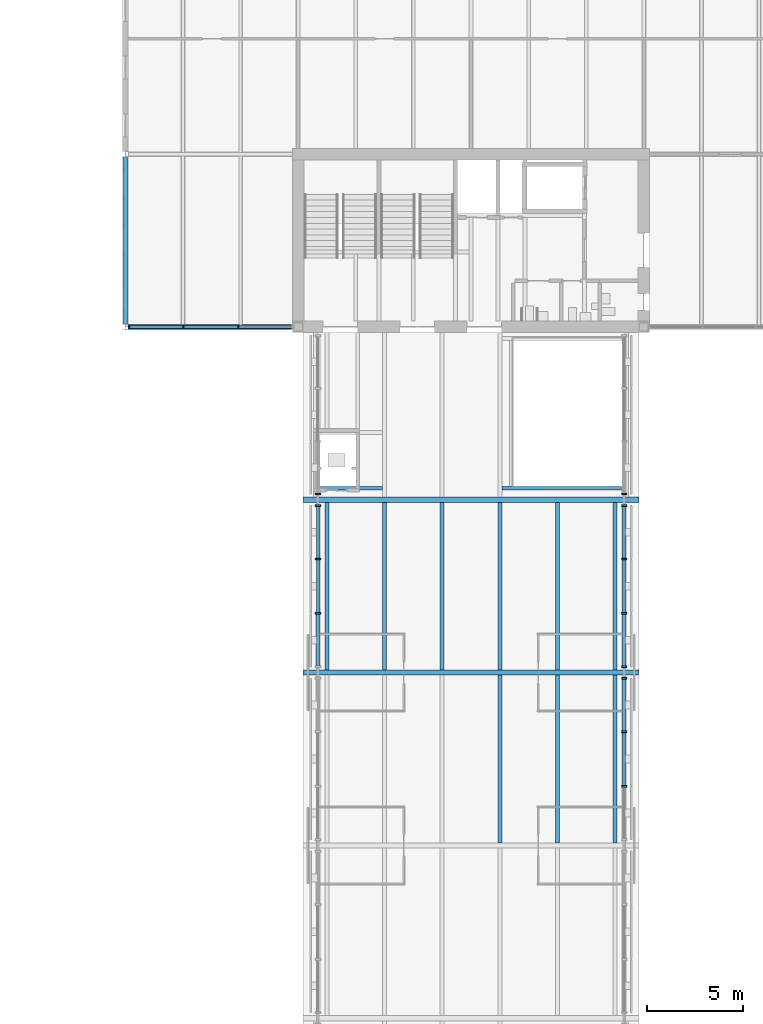
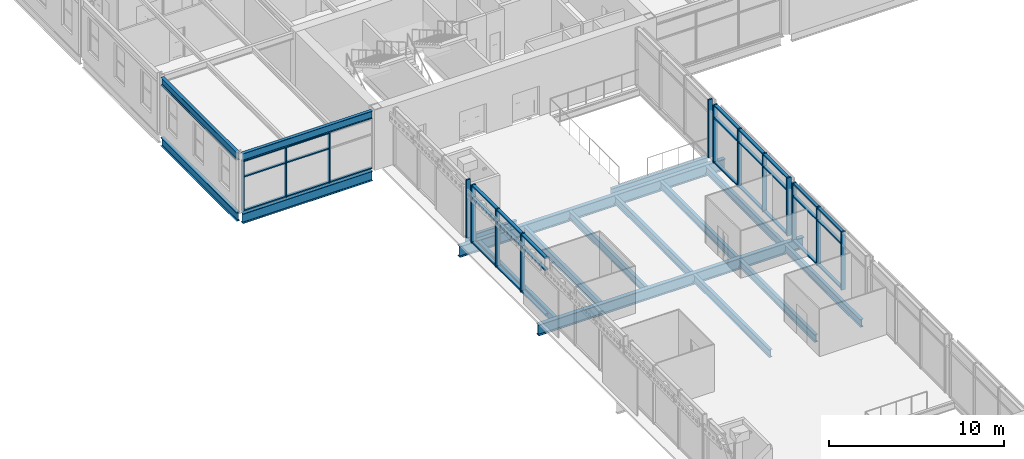
# One storey, part 28 of 123: 46 members, 17 beams, 6 elements without a shape of their own.
"""IFC4 building model written with IfcOpenShell, lengths in metres."""

from ifc_helpers import new_model, si_unit, direction, frame, origin, origin_2d, place, context, subcontext, project, spatial, rectangle, i_section, extrude, material, material_profile, profile_set, type_object, element, aggregate, save


model = new_model("IFC4")

# Units and contexts
model_context = context("Model", 3, precision=1e-05, world=origin(), true_north=direction((0.0, 1.0)))
body_context = subcontext(model_context, "Body", "Model", "MODEL_VIEW")
ifc_project = project(units=[si_unit("LENGTHUNIT", "METRE"), si_unit("AREAUNIT", "SQUARE_METRE"), si_unit("VOLUMEUNIT", "CUBIC_METRE"), si_unit("PLANEANGLEUNIT", "RADIAN"), si_unit("MASSUNIT", "GRAM", prefix="KILO")], contexts=[model_context])

# Site, building, storey
site_placement = place(None, origin())
site = spatial("IfcSite", under=ifc_project, at=site_placement, CompositionType="ELEMENT")
building_placement = place(site_placement, origin())
building = spatial("IfcBuilding", under=site, at=building_placement, Name="Baradari Gate Terminus", CompositionType="ELEMENT")
storey_placement = place(building_placement, frame((0.0, 0.0, 7.5)))
storey = spatial("IfcBuildingStorey", under=building, at=storey_placement, Name="L01", CompositionType="ELEMENT", Elevation=7.5)

# Beams
ifc_material_1 = material(Name="Steel S355", Category="steel")
ifc_material_profile_1 = material_profile(ifc_material_1, i_section(OverallWidth=0.19287109375, OverallDepth=0.46728515625, WebThickness=0.011474609375, FlangeThickness=0.01953125, FilletRadius=0.01025390625, at=origin_2d()), Name="UB 457x191x98")
ifc_profile_set_1 = profile_set([ifc_material_profile_1], Name="Steel S355")
beam_type_1 = type_object("IfcBeamType", Name="Concourse opening trimmer B19 UB 457x191x98", PredefinedType="BEAM", material=ifc_profile_set_1)
beam_1_placement = place(storey_placement, frame((73.00048828125, 72.60009765625, -0.363525390625), z_axis=(1.0, 0.0, 0.0), x_axis=(0.0, 1.0, 0.0)))
element("IfcBeam", 1, at=beam_1_placement, inside=storey, type_object=beam_type_1, Name="Concourse opening trimmer B19 72.6:73-76.395 L01", PredefinedType="BEAM", context=body_context, shape_type="SweptSolid", body=[
    extrude(i_section(OverallWidth=0.19287109375, OverallDepth=0.46728515625, WebThickness=0.011474609375, FlangeThickness=0.01953125, FilletRadius=0.01025390625, at=origin_2d()), origin(), (0.0, 0.0, 1.0), 3.39404296875),
])
beam_2_placement = place(storey_placement, frame((82.60546875, 72.60009765625, -0.363525390625), z_axis=(1.0, 0.0, 0.0), x_axis=(0.0, 1.0, 0.0)))
element("IfcBeam", 2, at=beam_2_placement, inside=storey, type_object=beam_type_1, Name="Concourse opening trimmer B19 72.6:82.605-89 L01", PredefinedType="BEAM", context=body_context, shape_type="SweptSolid", body=[
    extrude(i_section(OverallWidth=0.19287109375, OverallDepth=0.46728515625, WebThickness=0.011474609375, FlangeThickness=0.01953125, FilletRadius=0.01025390625, at=origin_2d()), origin(), (0.0, 0.0, 1.0), 6.39404296875),
])

# Curtain wall, members
ifc_material_2 = material(Name="Aluminium 6063-T6", Category="aluminium")
curtain_wall_type_1 = type_object("IfcCurtainWallType", Name="Curtain wall CW-13 concourse gallery glazing", PredefinedType="NOTDEFINED", material=ifc_material_2)
curtain_wall_1_placement = place(storey_placement, origin())
curtain_wall_1 = element("IfcCurtainWall", 3, at=curtain_wall_1_placement, inside=storey, type_object=curtain_wall_type_1, Name="Glazed curtain wall CW-13 HS bay 8 L01", PredefinedType="NOTDEFINED")
ifc_material_3 = material(Name="Aluminium 6063-T6", Category="aluminium")
ifc_material_profile_2 = material_profile(ifc_material_3, rectangle(XDim=0.22509765625, YDim=0.080078125, at=origin_2d()), Name="CM-13 80X225")
ifc_profile_set_2 = profile_set([ifc_material_profile_2], Name="Aluminium 6063-T6")
member_type_1 = type_object("IfcMemberType", Name="Curtain wall mullion CM-13 80x225", PredefinedType="MULLION", material=ifc_profile_set_2)
member_1_placement = place(storey_placement, frame((63.193603515625, 81.0, 0.0), z_axis=(0.0, 0.0, 1.0), x_axis=(0.0, 1.0, 0.0)))
member_1 = element("IfcMember", 4, at=member_1_placement, type_object=member_type_1, Name="CW-13 mullion 1", PredefinedType="MULLION", context=body_context, shape_type="SweptSolid", body=[
    extrude(rectangle(XDim=0.22509765625, YDim=0.080078125, at=origin_2d()), origin(), (0.0, 0.0, 1.0), 3.516845703125),
])
member_2_placement = place(storey_placement, frame((66.01904296875, 81.0, 0.0), z_axis=(0.0, 0.0, 1.0), x_axis=(0.0, 1.0, 0.0)))
member_2 = element("IfcMember", 5, at=member_2_placement, type_object=member_type_1, Name="CW-13 mullion 2", PredefinedType="MULLION", context=body_context, shape_type="SweptSolid", body=[
    extrude(rectangle(XDim=0.22509765625, YDim=0.080078125, at=origin_2d()), origin(), (0.0, 0.0, 1.0), 3.516845703125),
])
member_3_placement = place(storey_placement, frame((68.884521484375, 81.0, 0.0), z_axis=(0.0, 0.0, 1.0), x_axis=(0.0, 1.0, 0.0)))
member_3 = element("IfcMember", 6, at=member_3_placement, type_object=member_type_1, Name="CW-13 mullion 3", PredefinedType="MULLION", context=body_context, shape_type="SweptSolid", body=[
    extrude(rectangle(XDim=0.22509765625, YDim=0.080078125, at=origin_2d()), origin(), (0.0, 0.0, 1.0), 3.516845703125),
])

ifc_material_4 = material(Name="Aluminium 6063-T6", Category="aluminium")
curtain_wall_type_2 = type_object("IfcCurtainWallType", Name="Curtain wall CW-14 concourse bridge glazing", PredefinedType="NOTDEFINED", material=ifc_material_4)
curtain_wall_2_placement = place(storey_placement, origin())
curtain_wall_2 = element("IfcCurtainWall", 7, at=curtain_wall_2_placement, inside=storey, type_object=curtain_wall_type_2, Name="Curtain wall CW-3 gate west face L01 bay 4", PredefinedType="NOTDEFINED")
ifc_material_5 = material(Name="Aluminium 6063-T6", Category="aluminium")
ifc_material_profile_3 = material_profile(ifc_material_5, rectangle(XDim=0.27490234375, YDim=0.10009765625, at=origin_2d()), Name="CM-14 100X275")
ifc_profile_set_3 = profile_set([ifc_material_profile_3], Name="Aluminium 6063-T6")
member_type_2 = type_object("IfcMemberType", Name="Curtain wall mullion CM-14 100x275", PredefinedType="MULLION", material=ifc_profile_set_3)
member_4_placement = place(storey_placement, frame((73.02490234375, 66.083251953125, 0.0), z_axis=(0.0, 0.0, 1.0), x_axis=(-1.0, 0.0, 0.0)))
member_4 = element("IfcMember", 8, at=member_4_placement, type_object=member_type_2, Name="CW-14 mullion 2", PredefinedType="MULLION", context=body_context, shape_type="SweptSolid", body=[
    extrude(rectangle(XDim=0.27490234375, YDim=0.10009765625, at=origin_2d()), origin(), (0.0, 0.0, 1.0), 4.050048828125),
])
member_5_placement = place(storey_placement, frame((73.02490234375, 68.916748046875, 0.0), z_axis=(0.0, 0.0, 1.0), x_axis=(-1.0, 0.0, 0.0)))
member_5 = element("IfcMember", 9, at=member_5_placement, type_object=member_type_2, Name="CW-14 mullion 3", PredefinedType="MULLION", context=body_context, shape_type="SweptSolid", body=[
    extrude(rectangle(XDim=0.27490234375, YDim=0.10009765625, at=origin_2d()), origin(), (0.0, 0.0, 1.0), 4.050048828125),
])
member_6_placement = place(storey_placement, frame((73.02490234375, 71.699951171875, 0.0), z_axis=(0.0, 0.0, 1.0), x_axis=(-1.0, 0.0, 0.0)))
member_6 = element("IfcMember", 10, at=member_6_placement, type_object=member_type_2, Name="CW-14 mullion 4", PredefinedType="MULLION", context=body_context, shape_type="SweptSolid", body=[
    extrude(rectangle(XDim=0.27490234375, YDim=0.10009765625, at=origin_2d()), origin(), (0.0, 0.0, 1.0), 4.050048828125),
])

# Curtain wall, member
curtain_wall_3_placement = place(storey_placement, origin())
curtain_wall_3 = element("IfcCurtainWall", 11, at=curtain_wall_3_placement, inside=storey, type_object=curtain_wall_type_2, Name="Curtain wall CW-3 gate west face L01 bay 5", PredefinedType="NOTDEFINED")
member_7_placement = place(storey_placement, frame((73.02490234375, 72.300048828125, 0.0), z_axis=(0.0, 0.0, 1.0), x_axis=(-1.0, 0.0, 0.0)))
member_7 = element("IfcMember", 12, at=member_7_placement, type_object=member_type_2, Name="CW-14 mullion 1", PredefinedType="MULLION", context=body_context, shape_type="SweptSolid", body=[
    extrude(rectangle(XDim=0.27490234375, YDim=0.10009765625, at=origin_2d()), origin(), (0.0, 0.0, 1.0), 4.050048828125),
])
aggregate(curtain_wall_3, [member_7])

# Curtain wall, members
curtain_wall_4_placement = place(storey_placement, origin())
curtain_wall_4 = element("IfcCurtainWall", 13, at=curtain_wall_4_placement, inside=storey, type_object=curtain_wall_type_2, Name="Curtain wall CW-3 gate east face L01 bay 3", PredefinedType="NOTDEFINED")
member_8_placement = place(storey_placement, frame((88.97509765625, 57.083251953125, 0.0), z_axis=(0.0, 0.0, 1.0), x_axis=(-1.0, 0.0, 0.0)))
member_8 = element("IfcMember", 14, at=member_8_placement, type_object=member_type_2, Name="CW-14 mullion 2", PredefinedType="MULLION", context=body_context, shape_type="SweptSolid", body=[
    extrude(rectangle(XDim=0.27490234375, YDim=0.10009765625, at=origin_2d()), origin(), (0.0, 0.0, 1.0), 4.050048828125),
])
member_9_placement = place(storey_placement, frame((88.97509765625, 59.916748046875, 0.0), z_axis=(0.0, 0.0, 1.0), x_axis=(-1.0, 0.0, 0.0)))
member_9 = element("IfcMember", 15, at=member_9_placement, type_object=member_type_2, Name="CW-14 mullion 3", PredefinedType="MULLION", context=body_context, shape_type="SweptSolid", body=[
    extrude(rectangle(XDim=0.27490234375, YDim=0.10009765625, at=origin_2d()), origin(), (0.0, 0.0, 1.0), 4.050048828125),
])
member_10_placement = place(storey_placement, frame((88.97509765625, 62.699951171875, 0.0), z_axis=(0.0, 0.0, 1.0), x_axis=(-1.0, 0.0, 0.0)))
member_10 = element("IfcMember", 16, at=member_10_placement, type_object=member_type_2, Name="CW-14 mullion 4", PredefinedType="MULLION", context=body_context, shape_type="SweptSolid", body=[
    extrude(rectangle(XDim=0.27490234375, YDim=0.10009765625, at=origin_2d()), origin(), (0.0, 0.0, 1.0), 4.050048828125),
])

curtain_wall_5_placement = place(storey_placement, origin())
curtain_wall_5 = element("IfcCurtainWall", 17, at=curtain_wall_5_placement, inside=storey, type_object=curtain_wall_type_2, Name="Curtain wall CW-3 gate east face L01 bay 4", PredefinedType="NOTDEFINED")
member_11_placement = place(storey_placement, frame((88.97509765625, 63.300048828125, 0.0), z_axis=(0.0, 0.0, 1.0), x_axis=(-1.0, 0.0, 0.0)))
member_11 = element("IfcMember", 18, at=member_11_placement, type_object=member_type_2, Name="CW-14 mullion 1", PredefinedType="MULLION", context=body_context, shape_type="SweptSolid", body=[
    extrude(rectangle(XDim=0.27490234375, YDim=0.10009765625, at=origin_2d()), origin(), (0.0, 0.0, 1.0), 4.050048828125),
])
member_12_placement = place(storey_placement, frame((88.97509765625, 66.083251953125, 0.0), z_axis=(0.0, 0.0, 1.0), x_axis=(-1.0, 0.0, 0.0)))
member_12 = element("IfcMember", 19, at=member_12_placement, type_object=member_type_2, Name="CW-14 mullion 2", PredefinedType="MULLION", context=body_context, shape_type="SweptSolid", body=[
    extrude(rectangle(XDim=0.27490234375, YDim=0.10009765625, at=origin_2d()), origin(), (0.0, 0.0, 1.0), 4.050048828125),
])
member_13_placement = place(storey_placement, frame((88.97509765625, 68.916748046875, 0.0), z_axis=(0.0, 0.0, 1.0), x_axis=(-1.0, 0.0, 0.0)))
member_13 = element("IfcMember", 20, at=member_13_placement, type_object=member_type_2, Name="CW-14 mullion 3", PredefinedType="MULLION", context=body_context, shape_type="SweptSolid", body=[
    extrude(rectangle(XDim=0.27490234375, YDim=0.10009765625, at=origin_2d()), origin(), (0.0, 0.0, 1.0), 4.050048828125),
])
member_14_placement = place(storey_placement, frame((88.97509765625, 71.699951171875, 0.0), z_axis=(0.0, 0.0, 1.0), x_axis=(-1.0, 0.0, 0.0)))
member_14 = element("IfcMember", 21, at=member_14_placement, type_object=member_type_2, Name="CW-14 mullion 4", PredefinedType="MULLION", context=body_context, shape_type="SweptSolid", body=[
    extrude(rectangle(XDim=0.27490234375, YDim=0.10009765625, at=origin_2d()), origin(), (0.0, 0.0, 1.0), 4.050048828125),
])

# Curtain wall, member
curtain_wall_6_placement = place(storey_placement, origin())
curtain_wall_6 = element("IfcCurtainWall", 22, at=curtain_wall_6_placement, inside=storey, type_object=curtain_wall_type_2, Name="Curtain wall CW-3 gate east face L01 bay 5", PredefinedType="NOTDEFINED")
member_15_placement = place(storey_placement, frame((88.97509765625, 72.300048828125, 0.0), z_axis=(0.0, 0.0, 1.0), x_axis=(-1.0, 0.0, 0.0)))
member_15 = element("IfcMember", 23, at=member_15_placement, type_object=member_type_2, Name="CW-14 mullion 1", PredefinedType="MULLION", context=body_context, shape_type="SweptSolid", body=[
    extrude(rectangle(XDim=0.27490234375, YDim=0.10009765625, at=origin_2d()), origin(), (0.0, 0.0, 1.0), 4.050048828125),
])
aggregate(curtain_wall_6, [member_15])

# Member
ifc_material_6 = material(Name="Aluminium 6063-T6", Category="aluminium")
ifc_material_profile_4 = material_profile(ifc_material_6, rectangle(XDim=0.159912109375, YDim=0.080078125, at=origin_2d()), Name="CT-13 80X160")
ifc_profile_set_4 = profile_set([ifc_material_profile_4], Name="Aluminium 6063-T6")
member_type_3 = type_object("IfcMemberType", Name="Curtain wall transom CT-13 80x160", PredefinedType="USERDEFINED", material=ifc_profile_set_4)
member_16_placement = place(storey_placement, frame((63.233642578125, 81.0, 0.0400390625), z_axis=(1.0, 0.0, 0.0), x_axis=(0.0, 1.0, 0.0)))
member_16 = element("IfcMember", 24, at=member_16_placement, type_object=member_type_3, Name="CW-13 transom 1.1", ObjectType="TRANSOM", PredefinedType="USERDEFINED", context=body_context, shape_type="SweptSolid", body=[
    extrude(rectangle(XDim=0.159912109375, YDim=0.080078125, at=origin_2d()), origin(), (0.0, 0.0, 1.0), 2.74560546875),
])

member_17_placement = place(storey_placement, frame((63.233642578125, 81.0, 2.39990234375), z_axis=(1.0, 0.0, 0.0), x_axis=(0.0, 1.0, 0.0)))
member_17 = element("IfcMember", 25, at=member_17_placement, type_object=member_type_3, Name="CW-13 transom 1.2", ObjectType="TRANSOM", PredefinedType="USERDEFINED", context=body_context, shape_type="SweptSolid", body=[
    extrude(rectangle(XDim=0.159912109375, YDim=0.080078125, at=origin_2d()), origin(), (0.0, 0.0, 1.0), 2.74560546875),
])

member_18_placement = place(storey_placement, frame((63.233642578125, 81.0, 3.476806640625), z_axis=(1.0, 0.0, 0.0), x_axis=(0.0, 1.0, 0.0)))
member_18 = element("IfcMember", 26, at=member_18_placement, type_object=member_type_3, Name="CW-13 transom 1.3", ObjectType="TRANSOM", PredefinedType="USERDEFINED", context=body_context, shape_type="SweptSolid", body=[
    extrude(rectangle(XDim=0.159912109375, YDim=0.080078125, at=origin_2d()), origin(), (0.0, 0.0, 1.0), 2.74560546875),
])

member_19_placement = place(storey_placement, frame((66.05908203125, 81.0, 0.0400390625), z_axis=(1.0, 0.0, 0.0), x_axis=(0.0, 1.0, 0.0)))
member_19 = element("IfcMember", 27, at=member_19_placement, type_object=member_type_3, Name="CW-13 transom 2.1", ObjectType="TRANSOM", PredefinedType="USERDEFINED", context=body_context, shape_type="SweptSolid", body=[
    extrude(rectangle(XDim=0.159912109375, YDim=0.080078125, at=origin_2d()), origin(), (0.0, 0.0, 1.0), 2.785400390625),
])

member_20_placement = place(storey_placement, frame((66.05908203125, 81.0, 2.39990234375), z_axis=(1.0, 0.0, 0.0), x_axis=(0.0, 1.0, 0.0)))
member_20 = element("IfcMember", 28, at=member_20_placement, type_object=member_type_3, Name="CW-13 transom 2.2", ObjectType="TRANSOM", PredefinedType="USERDEFINED", context=body_context, shape_type="SweptSolid", body=[
    extrude(rectangle(XDim=0.159912109375, YDim=0.080078125, at=origin_2d()), origin(), (0.0, 0.0, 1.0), 2.785400390625),
])

member_21_placement = place(storey_placement, frame((66.05908203125, 81.0, 3.476806640625), z_axis=(1.0, 0.0, 0.0), x_axis=(0.0, 1.0, 0.0)))
member_21 = element("IfcMember", 29, at=member_21_placement, type_object=member_type_3, Name="CW-13 transom 2.3", ObjectType="TRANSOM", PredefinedType="USERDEFINED", context=body_context, shape_type="SweptSolid", body=[
    extrude(rectangle(XDim=0.159912109375, YDim=0.080078125, at=origin_2d()), origin(), (0.0, 0.0, 1.0), 2.785400390625),
])

member_22_placement = place(storey_placement, frame((68.924560546875, 81.0, 0.0400390625), z_axis=(1.0, 0.0, 0.0), x_axis=(0.0, 1.0, 0.0)))
member_22 = element("IfcMember", 30, at=member_22_placement, type_object=member_type_3, Name="CW-13 transom 3.1", ObjectType="TRANSOM", PredefinedType="USERDEFINED", context=body_context, shape_type="SweptSolid", body=[
    extrude(rectangle(XDim=0.159912109375, YDim=0.080078125, at=origin_2d()), origin(), (0.0, 0.0, 1.0), 2.745361328125),
])

aggregate(curtain_wall_1, [member_1, member_2, member_3, member_16, member_17, member_18, member_19, member_20, member_21, member_22])

ifc_material_7 = material(Name="Aluminium 6063-T6", Category="aluminium")
ifc_material_profile_5 = material_profile(ifc_material_7, rectangle(XDim=0.199951171875, YDim=0.10009765625, at=origin_2d()), Name="CT-14 100X200")
ifc_profile_set_5 = profile_set([ifc_material_profile_5], Name="Aluminium 6063-T6")
member_type_4 = type_object("IfcMemberType", Name="Curtain wall transom CT-14 100x200", PredefinedType="USERDEFINED", material=ifc_profile_set_5)
member_23_placement = place(storey_placement, frame((73.02490234375, 63.35009765625, 0.050048828125), z_axis=(0.0, 1.0, 0.0), x_axis=(-1.0, 0.0, 0.0)))
member_23 = element("IfcMember", 31, at=member_23_placement, type_object=member_type_4, Name="CW-14 transom 1.1", ObjectType="TRANSOM", PredefinedType="USERDEFINED", context=body_context, shape_type="SweptSolid", body=[
    extrude(rectangle(XDim=0.199951171875, YDim=0.10009765625, at=origin_2d()), origin(), (0.0, 0.0, 1.0), 2.683349609375),
])

member_24_placement = place(storey_placement, frame((73.02490234375, 63.35009765625, 3.14990234375), z_axis=(0.0, 1.0, 0.0), x_axis=(-1.0, 0.0, 0.0)))
member_24 = element("IfcMember", 32, at=member_24_placement, type_object=member_type_4, Name="CW-14 transom 1.2", ObjectType="TRANSOM", PredefinedType="USERDEFINED", context=body_context, shape_type="SweptSolid", body=[
    extrude(rectangle(XDim=0.199951171875, YDim=0.10009765625, at=origin_2d()), origin(), (0.0, 0.0, 1.0), 2.683349609375),
])

member_25_placement = place(storey_placement, frame((73.02490234375, 63.35009765625, 4.0), z_axis=(0.0, 1.0, 0.0), x_axis=(-1.0, 0.0, 0.0)))
member_25 = element("IfcMember", 33, at=member_25_placement, type_object=member_type_4, Name="CW-14 transom 1.3", ObjectType="TRANSOM", PredefinedType="USERDEFINED", context=body_context, shape_type="SweptSolid", body=[
    extrude(rectangle(XDim=0.199951171875, YDim=0.10009765625, at=origin_2d()), origin(), (0.0, 0.0, 1.0), 2.683349609375),
])

member_26_placement = place(storey_placement, frame((73.02490234375, 66.13330078125, 0.050048828125), z_axis=(0.0, 1.0, 0.0), x_axis=(-1.0, 0.0, 0.0)))
member_26 = element("IfcMember", 34, at=member_26_placement, type_object=member_type_4, Name="CW-14 transom 2.1", ObjectType="TRANSOM", PredefinedType="USERDEFINED", context=body_context, shape_type="SweptSolid", body=[
    extrude(rectangle(XDim=0.199951171875, YDim=0.10009765625, at=origin_2d()), origin(), (0.0, 0.0, 1.0), 2.7333984375),
])

member_27_placement = place(storey_placement, frame((73.02490234375, 66.13330078125, 3.14990234375), z_axis=(0.0, 1.0, 0.0), x_axis=(-1.0, 0.0, 0.0)))
member_27 = element("IfcMember", 35, at=member_27_placement, type_object=member_type_4, Name="CW-14 transom 2.2", ObjectType="TRANSOM", PredefinedType="USERDEFINED", context=body_context, shape_type="SweptSolid", body=[
    extrude(rectangle(XDim=0.199951171875, YDim=0.10009765625, at=origin_2d()), origin(), (0.0, 0.0, 1.0), 2.7333984375),
])

member_28_placement = place(storey_placement, frame((73.02490234375, 66.13330078125, 4.0), z_axis=(0.0, 1.0, 0.0), x_axis=(-1.0, 0.0, 0.0)))
member_28 = element("IfcMember", 36, at=member_28_placement, type_object=member_type_4, Name="CW-14 transom 2.3", ObjectType="TRANSOM", PredefinedType="USERDEFINED", context=body_context, shape_type="SweptSolid", body=[
    extrude(rectangle(XDim=0.199951171875, YDim=0.10009765625, at=origin_2d()), origin(), (0.0, 0.0, 1.0), 2.7333984375),
])

member_29_placement = place(storey_placement, frame((73.02490234375, 68.966552734375, 0.050048828125), z_axis=(0.0, 1.0, 0.0), x_axis=(-1.0, 0.0, 0.0)))
member_29 = element("IfcMember", 37, at=member_29_placement, type_object=member_type_4, Name="CW-14 transom 3.1", ObjectType="TRANSOM", PredefinedType="USERDEFINED", context=body_context, shape_type="SweptSolid", body=[
    extrude(rectangle(XDim=0.199951171875, YDim=0.10009765625, at=origin_2d()), origin(), (0.0, 0.0, 1.0), 2.683349609375),
])

member_30_placement = place(storey_placement, frame((73.02490234375, 68.966552734375, 3.14990234375), z_axis=(0.0, 1.0, 0.0), x_axis=(-1.0, 0.0, 0.0)))
member_30 = element("IfcMember", 38, at=member_30_placement, type_object=member_type_4, Name="CW-14 transom 3.2", ObjectType="TRANSOM", PredefinedType="USERDEFINED", context=body_context, shape_type="SweptSolid", body=[
    extrude(rectangle(XDim=0.199951171875, YDim=0.10009765625, at=origin_2d()), origin(), (0.0, 0.0, 1.0), 2.683349609375),
])

member_31_placement = place(storey_placement, frame((73.02490234375, 68.966552734375, 4.0), z_axis=(0.0, 1.0, 0.0), x_axis=(-1.0, 0.0, 0.0)))
member_31 = element("IfcMember", 39, at=member_31_placement, type_object=member_type_4, Name="CW-14 transom 3.3", ObjectType="TRANSOM", PredefinedType="USERDEFINED", context=body_context, shape_type="SweptSolid", body=[
    extrude(rectangle(XDim=0.199951171875, YDim=0.10009765625, at=origin_2d()), origin(), (0.0, 0.0, 1.0), 2.683349609375),
])

aggregate(curtain_wall_2, [member_4, member_5, member_6, member_23, member_24, member_25, member_26, member_27, member_28, member_29, member_30, member_31])

member_32_placement = place(storey_placement, frame((88.97509765625, 57.13330078125, 0.050048828125), z_axis=(0.0, 1.0, 0.0), x_axis=(-1.0, 0.0, 0.0)))
member_32 = element("IfcMember", 40, at=member_32_placement, type_object=member_type_4, Name="CW-14 transom 2.1", ObjectType="TRANSOM", PredefinedType="USERDEFINED", context=body_context, shape_type="SweptSolid", body=[
    extrude(rectangle(XDim=0.199951171875, YDim=0.10009765625, at=origin_2d()), origin(), (0.0, 0.0, 1.0), 2.7333984375),
])

member_33_placement = place(storey_placement, frame((88.97509765625, 57.13330078125, 3.14990234375), z_axis=(0.0, 1.0, 0.0), x_axis=(-1.0, 0.0, 0.0)))
member_33 = element("IfcMember", 41, at=member_33_placement, type_object=member_type_4, Name="CW-14 transom 2.2", ObjectType="TRANSOM", PredefinedType="USERDEFINED", context=body_context, shape_type="SweptSolid", body=[
    extrude(rectangle(XDim=0.199951171875, YDim=0.10009765625, at=origin_2d()), origin(), (0.0, 0.0, 1.0), 2.7333984375),
])

member_34_placement = place(storey_placement, frame((88.97509765625, 57.13330078125, 4.0), z_axis=(0.0, 1.0, 0.0), x_axis=(-1.0, 0.0, 0.0)))
member_34 = element("IfcMember", 42, at=member_34_placement, type_object=member_type_4, Name="CW-14 transom 2.3", ObjectType="TRANSOM", PredefinedType="USERDEFINED", context=body_context, shape_type="SweptSolid", body=[
    extrude(rectangle(XDim=0.199951171875, YDim=0.10009765625, at=origin_2d()), origin(), (0.0, 0.0, 1.0), 2.7333984375),
])

member_35_placement = place(storey_placement, frame((88.97509765625, 59.966552734375, 0.050048828125), z_axis=(0.0, 1.0, 0.0), x_axis=(-1.0, 0.0, 0.0)))
member_35 = element("IfcMember", 43, at=member_35_placement, type_object=member_type_4, Name="CW-14 transom 3.1", ObjectType="TRANSOM", PredefinedType="USERDEFINED", context=body_context, shape_type="SweptSolid", body=[
    extrude(rectangle(XDim=0.199951171875, YDim=0.10009765625, at=origin_2d()), origin(), (0.0, 0.0, 1.0), 2.683349609375),
])

member_36_placement = place(storey_placement, frame((88.97509765625, 59.966552734375, 3.14990234375), z_axis=(0.0, 1.0, 0.0), x_axis=(-1.0, 0.0, 0.0)))
member_36 = element("IfcMember", 44, at=member_36_placement, type_object=member_type_4, Name="CW-14 transom 3.2", ObjectType="TRANSOM", PredefinedType="USERDEFINED", context=body_context, shape_type="SweptSolid", body=[
    extrude(rectangle(XDim=0.199951171875, YDim=0.10009765625, at=origin_2d()), origin(), (0.0, 0.0, 1.0), 2.683349609375),
])

member_37_placement = place(storey_placement, frame((88.97509765625, 59.966552734375, 4.0), z_axis=(0.0, 1.0, 0.0), x_axis=(-1.0, 0.0, 0.0)))
member_37 = element("IfcMember", 45, at=member_37_placement, type_object=member_type_4, Name="CW-14 transom 3.3", ObjectType="TRANSOM", PredefinedType="USERDEFINED", context=body_context, shape_type="SweptSolid", body=[
    extrude(rectangle(XDim=0.199951171875, YDim=0.10009765625, at=origin_2d()), origin(), (0.0, 0.0, 1.0), 2.683349609375),
])

aggregate(curtain_wall_4, [member_8, member_9, member_10, member_32, member_33, member_34, member_35, member_36, member_37])

member_38_placement = place(storey_placement, frame((88.97509765625, 63.35009765625, 0.050048828125), z_axis=(0.0, 1.0, 0.0), x_axis=(-1.0, 0.0, 0.0)))
member_38 = element("IfcMember", 46, at=member_38_placement, type_object=member_type_4, Name="CW-14 transom 1.1", ObjectType="TRANSOM", PredefinedType="USERDEFINED", context=body_context, shape_type="SweptSolid", body=[
    extrude(rectangle(XDim=0.199951171875, YDim=0.10009765625, at=origin_2d()), origin(), (0.0, 0.0, 1.0), 2.683349609375),
])

member_39_placement = place(storey_placement, frame((88.97509765625, 63.35009765625, 3.14990234375), z_axis=(0.0, 1.0, 0.0), x_axis=(-1.0, 0.0, 0.0)))
member_39 = element("IfcMember", 47, at=member_39_placement, type_object=member_type_4, Name="CW-14 transom 1.2", ObjectType="TRANSOM", PredefinedType="USERDEFINED", context=body_context, shape_type="SweptSolid", body=[
    extrude(rectangle(XDim=0.199951171875, YDim=0.10009765625, at=origin_2d()), origin(), (0.0, 0.0, 1.0), 2.683349609375),
])

member_40_placement = place(storey_placement, frame((88.97509765625, 63.35009765625, 4.0), z_axis=(0.0, 1.0, 0.0), x_axis=(-1.0, 0.0, 0.0)))
member_40 = element("IfcMember", 48, at=member_40_placement, type_object=member_type_4, Name="CW-14 transom 1.3", ObjectType="TRANSOM", PredefinedType="USERDEFINED", context=body_context, shape_type="SweptSolid", body=[
    extrude(rectangle(XDim=0.199951171875, YDim=0.10009765625, at=origin_2d()), origin(), (0.0, 0.0, 1.0), 2.683349609375),
])

member_41_placement = place(storey_placement, frame((88.97509765625, 66.13330078125, 0.050048828125), z_axis=(0.0, 1.0, 0.0), x_axis=(-1.0, 0.0, 0.0)))
member_41 = element("IfcMember", 49, at=member_41_placement, type_object=member_type_4, Name="CW-14 transom 2.1", ObjectType="TRANSOM", PredefinedType="USERDEFINED", context=body_context, shape_type="SweptSolid", body=[
    extrude(rectangle(XDim=0.199951171875, YDim=0.10009765625, at=origin_2d()), origin(), (0.0, 0.0, 1.0), 2.7333984375),
])

member_42_placement = place(storey_placement, frame((88.97509765625, 66.13330078125, 3.14990234375), z_axis=(0.0, 1.0, 0.0), x_axis=(-1.0, 0.0, 0.0)))
member_42 = element("IfcMember", 50, at=member_42_placement, type_object=member_type_4, Name="CW-14 transom 2.2", ObjectType="TRANSOM", PredefinedType="USERDEFINED", context=body_context, shape_type="SweptSolid", body=[
    extrude(rectangle(XDim=0.199951171875, YDim=0.10009765625, at=origin_2d()), origin(), (0.0, 0.0, 1.0), 2.7333984375),
])

member_43_placement = place(storey_placement, frame((88.97509765625, 66.13330078125, 4.0), z_axis=(0.0, 1.0, 0.0), x_axis=(-1.0, 0.0, 0.0)))
member_43 = element("IfcMember", 51, at=member_43_placement, type_object=member_type_4, Name="CW-14 transom 2.3", ObjectType="TRANSOM", PredefinedType="USERDEFINED", context=body_context, shape_type="SweptSolid", body=[
    extrude(rectangle(XDim=0.199951171875, YDim=0.10009765625, at=origin_2d()), origin(), (0.0, 0.0, 1.0), 2.7333984375),
])

member_44_placement = place(storey_placement, frame((88.97509765625, 68.966552734375, 0.050048828125), z_axis=(0.0, 1.0, 0.0), x_axis=(-1.0, 0.0, 0.0)))
member_44 = element("IfcMember", 52, at=member_44_placement, type_object=member_type_4, Name="CW-14 transom 3.1", ObjectType="TRANSOM", PredefinedType="USERDEFINED", context=body_context, shape_type="SweptSolid", body=[
    extrude(rectangle(XDim=0.199951171875, YDim=0.10009765625, at=origin_2d()), origin(), (0.0, 0.0, 1.0), 2.683349609375),
])

member_45_placement = place(storey_placement, frame((88.97509765625, 68.966552734375, 3.14990234375), z_axis=(0.0, 1.0, 0.0), x_axis=(-1.0, 0.0, 0.0)))
member_45 = element("IfcMember", 53, at=member_45_placement, type_object=member_type_4, Name="CW-14 transom 3.2", ObjectType="TRANSOM", PredefinedType="USERDEFINED", context=body_context, shape_type="SweptSolid", body=[
    extrude(rectangle(XDim=0.199951171875, YDim=0.10009765625, at=origin_2d()), origin(), (0.0, 0.0, 1.0), 2.683349609375),
])

member_46_placement = place(storey_placement, frame((88.97509765625, 68.966552734375, 4.0), z_axis=(0.0, 1.0, 0.0), x_axis=(-1.0, 0.0, 0.0)))
member_46 = element("IfcMember", 54, at=member_46_placement, type_object=member_type_4, Name="CW-14 transom 3.3", ObjectType="TRANSOM", PredefinedType="USERDEFINED", context=body_context, shape_type="SweptSolid", body=[
    extrude(rectangle(XDim=0.199951171875, YDim=0.10009765625, at=origin_2d()), origin(), (0.0, 0.0, 1.0), 2.683349609375),
])

aggregate(curtain_wall_5, [member_11, member_12, member_13, member_14, member_38, member_39, member_40, member_41, member_42, member_43, member_44, member_45, member_46])

# Beams
ifc_material_8 = material(Name="Steel S355", Category="steel")
ifc_material_profile_6 = material_profile(ifc_material_8, i_section(OverallWidth=0.26806640625, OverallDepth=0.769775390625, WebThickness=0.015625, FlangeThickness=0.025390625, FilletRadius=0.0166015625, at=origin_2d()), Name="UB 762x267x197")
ifc_profile_set_6 = profile_set([ifc_material_profile_6], Name="Steel S355")
beam_type_2 = type_object("IfcBeamType", Name="Gate concourse girder B20 UB 762x267x197", PredefinedType="BEAM", material=ifc_profile_set_6)
for number, where, z_axis, x_axis, name in (
    (55, (72.25, 63.0, -0.514892578125), (1.0, 0.0, 0.0), (0.0, 1.0, 0.0), "Gate concourse girder B20 H:72.25-89.75 L01"),
    (56, (72.25, 72.0, -0.514892578125), (1.0, 0.0, 0.0), (0.0, 1.0, 0.0), "Gate concourse girder B20 J:72.25-89.75 L01"),
):
    element("IfcBeam", number, at=place(storey_placement, frame(where, z_axis=z_axis, x_axis=x_axis)), inside=storey, type_object=beam_type_2, Name=name, PredefinedType="BEAM", context=body_context, shape_type="SweptSolid", body=[
        extrude(i_section(OverallWidth=0.26806640625, OverallDepth=0.769775390625, WebThickness=0.015625, FlangeThickness=0.025390625, FilletRadius=0.0166015625, at=origin_2d()), origin(), (0.0, 0.0, 1.0), 17.5),
    ])
ifc_material_9 = material(Name="Steel S355", Category="steel")
ifc_material_profile_7 = material_profile(ifc_material_9, i_section(OverallWidth=0.210693359375, OverallDepth=0.53955078125, WebThickness=0.01171875, FlangeThickness=0.018798828125, FilletRadius=0.0126953125, at=origin_2d()), Name="UB 533x210x109")
ifc_profile_set_7 = profile_set([ifc_material_profile_7], Name="Steel S355")
beam_type_3 = type_object("IfcBeamType", Name="Gate concourse secondary beam B21 UB 533x210x109", PredefinedType="BEAM", material=ifc_profile_set_7)
for number, where, z_axis, x_axis, name in (
    (57, (73.5, 63.134033203125, -0.399658203125), (0.0, 1.0, 0.0), (-1.0, 0.0, 0.0), "Gate concourse secondary beam B21 73.5:63.134-71.866 L01"),
    (58, (76.5, 63.134033203125, -0.399658203125), (0.0, 1.0, 0.0), (-1.0, 0.0, 0.0), "Gate concourse secondary beam B21 76.5:63.134-71.866 L01"),
    (59, (79.5, 63.134033203125, -0.399658203125), (0.0, 1.0, 0.0), (-1.0, 0.0, 0.0), "Gate concourse secondary beam B21 79.5:63.134-71.866 L01"),
    (60, (82.5, 54.134033203125, -0.399658203125), (0.0, 1.0, 0.0), (-1.0, 0.0, 0.0), "Gate concourse secondary beam B21 82.5:54.134-62.866 L01"),
    (61, (82.5, 63.134033203125, -0.399658203125), (0.0, 1.0, 0.0), (-1.0, 0.0, 0.0), "Gate concourse secondary beam B21 82.5:63.134-71.866 L01"),
    (62, (85.5, 54.134033203125, -0.399658203125), (0.0, 1.0, 0.0), (-1.0, 0.0, 0.0), "Gate concourse secondary beam B21 85.5:54.134-62.866 L01"),
    (63, (85.5, 63.134033203125, -0.399658203125), (0.0, 1.0, 0.0), (-1.0, 0.0, 0.0), "Gate concourse secondary beam B21 85.5:63.134-71.866 L01"),
    (64, (88.5, 54.134033203125, -0.399658203125), (0.0, 1.0, 0.0), (-1.0, 0.0, 0.0), "Gate concourse secondary beam B21 88.5:54.134-62.866 L01"),
    (65, (88.5, 63.134033203125, -0.399658203125), (0.0, 1.0, 0.0), (-1.0, 0.0, 0.0), "Gate concourse secondary beam B21 88.5:63.134-71.866 L01"),
):
    element("IfcBeam", number, at=place(storey_placement, frame(where, z_axis=z_axis, x_axis=x_axis)), inside=storey, type_object=beam_type_3, Name=name, PredefinedType="BEAM", context=body_context, shape_type="SweptSolid", body=[
        extrude(i_section(OverallWidth=0.210693359375, OverallDepth=0.53955078125, WebThickness=0.01171875, FlangeThickness=0.018798828125, FilletRadius=0.0126953125, at=origin_2d()), origin(), (0.0, 0.0, 1.0), 8.73193359375),
    ])
ifc_material_10 = material(Name="Steel S355", Category="steel")
ifc_material_profile_8 = material_profile(ifc_material_10, i_section(OverallWidth=0.2529296875, OverallDepth=0.677978515625, WebThickness=0.01171875, FlangeThickness=0.01611328125, FilletRadius=0.01513671875, at=origin_2d()), Name="UB 686x254x125")
ifc_profile_set_8 = profile_set([ifc_material_profile_8], Name="Steel S355")
beam_type_4 = type_object("IfcBeamType", Name="Head-house edge girder B07 UB 686x254x125", PredefinedType="BEAM", material=ifc_profile_set_8)
beam_3_placement = place(storey_placement, frame((63.15380859375, 81.0, -0.468994140625), z_axis=(1.0, 0.0, 0.0), x_axis=(0.0, 1.0, 0.0)))
element("IfcBeam", 66, at=beam_3_placement, inside=storey, type_object=beam_type_4, Name="Head-house edge girder B07 K:63.154-71.7 L01", PredefinedType="BEAM", context=body_context, shape_type="SweptSolid", body=[
    extrude(i_section(OverallWidth=0.2529296875, OverallDepth=0.677978515625, WebThickness=0.01171875, FlangeThickness=0.01611328125, FilletRadius=0.01513671875, at=origin_2d()), origin(), (0.0, 0.0, 1.0), 8.546142578125),
])
ifc_material_11 = material(Name="Steel S355", Category="steel")
ifc_material_profile_9 = material_profile(ifc_material_11, i_section(OverallWidth=0.2275390625, OverallDepth=0.6025390625, WebThickness=0.010498046875, FlangeThickness=0.014892578125, FilletRadius=0.0126953125, at=origin_2d()), Name="UB 610x229x101")
ifc_profile_set_9 = profile_set([ifc_material_profile_9], Name="Steel S355")
beam_type_5 = type_object("IfcBeamType", Name="Head-house end girder B13 UB 610x229x101", PredefinedType="BEAM", material=ifc_profile_set_9)
beam_4_placement = place(storey_placement, frame((63.0, 81.1572265625, -0.431396484375), z_axis=(0.0, 1.0, 0.0), x_axis=(-1.0, 0.0, 0.0)))
element("IfcBeam", 67, at=beam_4_placement, inside=storey, type_object=beam_type_5, Name="Head-house end girder B13 8:81.157-89.843 L01", PredefinedType="BEAM", context=body_context, shape_type="SweptSolid", body=[
    extrude(i_section(OverallWidth=0.2275390625, OverallDepth=0.6025390625, WebThickness=0.010498046875, FlangeThickness=0.014892578125, FilletRadius=0.0126953125, at=origin_2d()), origin(), (0.0, 0.0, 1.0), 8.685546875),
])
ifc_material_12 = material(Name="Steel S355", Category="steel")
ifc_material_profile_10 = material_profile(ifc_material_12, i_section(OverallWidth=0.209228515625, OverallDepth=0.533203125, WebThickness=0.010009765625, FlangeThickness=0.015625, FilletRadius=0.0126953125, at=origin_2d()), Name="UB 533x210x92")
ifc_profile_set_10 = profile_set([ifc_material_profile_10], Name="Steel S355")
beam_type_6 = type_object("IfcBeamType", Name="Head-house roof edge girder B48 UB 533x210x92", PredefinedType="BEAM", material=ifc_profile_set_10)
beam_5_placement = place(storey_placement, frame((63.15380859375, 81.0, 3.783447265625), z_axis=(1.0, 0.0, 0.0), x_axis=(0.0, 1.0, 0.0)))
element("IfcBeam", 68, at=beam_5_placement, inside=storey, type_object=beam_type_6, Name="Head-house roof edge girder B48 K:63.154-71.7 L01", PredefinedType="BEAM", context=body_context, shape_type="SweptSolid", body=[
    extrude(i_section(OverallWidth=0.209228515625, OverallDepth=0.533203125, WebThickness=0.010009765625, FlangeThickness=0.015625, FilletRadius=0.0126953125, at=origin_2d()), origin(), (0.0, 0.0, 1.0), 8.546142578125),
])
beam_6_placement = place(storey_placement, frame((63.0, 81.1572265625, 3.783447265625), z_axis=(0.0, 1.0, 0.0), x_axis=(-1.0, 0.0, 0.0)))
element("IfcBeam", 69, at=beam_6_placement, inside=storey, type_object=beam_type_6, Name="Head-house roof edge girder B48 8:81.157-89.843 L01", PredefinedType="BEAM", context=body_context, shape_type="SweptSolid", body=[
    extrude(i_section(OverallWidth=0.209228515625, OverallDepth=0.533203125, WebThickness=0.010009765625, FlangeThickness=0.015625, FilletRadius=0.0126953125, at=origin_2d()), origin(), (0.0, 0.0, 1.0), 8.685546875),
])

save(model, "model.ifc")
